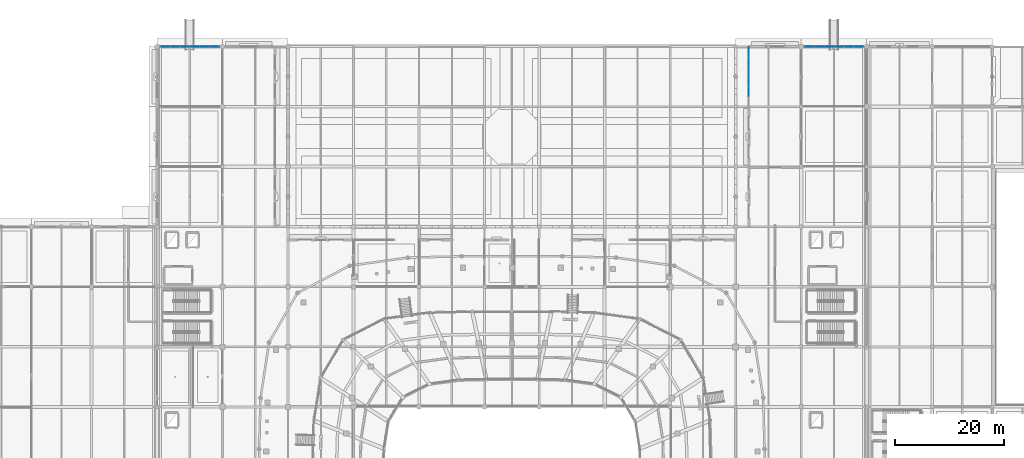
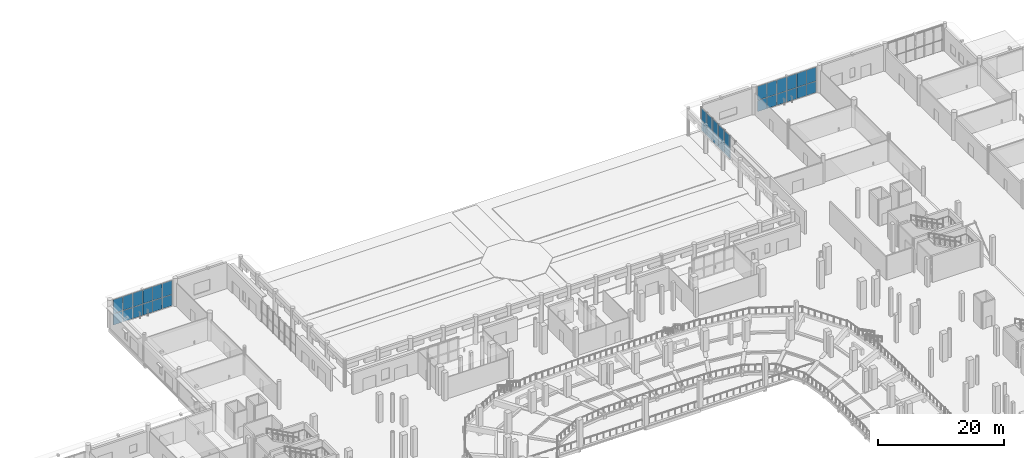
# One storey, part 49 of 120: 34 plates, 3 elements without a shape of their own.
"""IFC4 building model written with IfcOpenShell, lengths in metres."""

from ifc_helpers import new_model, si_unit, direction, frame, origin, origin_2d, place, context, subcontext, project, spatial, rectangle, extrude, material, layer, layer_set, type_object, element, aggregate, save


model = new_model("IFC4")

# Units and contexts
model_context = context("Model", 3, precision=1e-05, world=origin(), true_north=direction((0.0, 1.0)))
body_context = subcontext(model_context, "Body", "Model", "MODEL_VIEW")
ifc_project = project(units=[si_unit("LENGTHUNIT", "METRE"), si_unit("AREAUNIT", "SQUARE_METRE"), si_unit("VOLUMEUNIT", "CUBIC_METRE"), si_unit("PLANEANGLEUNIT", "RADIAN"), si_unit("MASSUNIT", "GRAM", prefix="KILO")], contexts=[model_context])

# Site, building, storey
site_placement = place(None, origin())
site = spatial("IfcSite", under=ifc_project, at=site_placement, CompositionType="ELEMENT")
building_placement = place(site_placement, origin())
building = spatial("IfcBuilding", under=site, at=building_placement, Name="Luwafu Chhajja Arena", CompositionType="ELEMENT")
storey_placement = place(building_placement, origin())
storey = spatial("IfcBuildingStorey", under=building, at=storey_placement, Name="L00", CompositionType="ELEMENT", Elevation=0.0)

# Curtain wall, plates
ifc_material_1 = material(Name="Anodised bronze aluminium", Category="aluminium")
curtain_wall_type_1 = type_object("IfcCurtainWallType", Name="VIP Club Terrace Curtain Wall", PredefinedType="USERDEFINED", material=ifc_material_1)
curtain_wall_1_placement = place(storey_placement, origin())
curtain_wall_1 = element("IfcCurtainWall", 1, at=curtain_wall_1_placement, inside=storey, type_object=curtain_wall_type_1, Name="L00 Curtain Wall CWG-L00-V12_11", ObjectType="CURTAIN WALL", PredefinedType="USERDEFINED")
ifc_material_2 = material(Name="Solar-control laminated glass", Category="glass")
ifc_layer_1 = layer(ifc_material_2, 0.035888671875, Name="Solar-control laminated glass")
ifc_layer_set_1 = layer_set([ifc_layer_1], Name="Solar-control laminated glass")
plate_type_1 = type_object("IfcPlateType", Name="Acoustic Broadcast Double Glazed CW Panel 36", PredefinedType="CURTAIN_PANEL", material=ifc_layer_set_1)
plate_1_placement = place(storey_placement, frame((142.39990234375, 123.75, 0.094970703125), z_axis=(0.0, 0.0, 1.0), x_axis=(0.0, 1.0, 0.0)))
plate_1 = element("IfcPlate", 2, at=plate_1_placement, type_object=plate_type_1, Name="CW-10 panel 2.1", PredefinedType="CURTAIN_PANEL", context=body_context, shape_type="SweptSolid", body=[
    extrude(rectangle(XDim=1.768310546875, YDim=0.035888671875, at=origin_2d()), origin(), (0.0, 0.0, 1.0), 1.919921875),
])
plate_2_placement = place(storey_placement, frame((142.39990234375, 123.75, 2.080078125), z_axis=(0.0, 0.0, 1.0), x_axis=(0.0, 1.0, 0.0)))
plate_2 = element("IfcPlate", 3, at=plate_2_placement, type_object=plate_type_1, Name="CW-10 panel 2.2", PredefinedType="CURTAIN_PANEL", context=body_context, shape_type="SweptSolid", body=[
    extrude(rectangle(XDim=1.768310546875, YDim=0.035888671875, at=origin_2d()), origin(), (0.0, 0.0, 1.0), 2.405029296875),
])
plate_3_placement = place(storey_placement, frame((142.39990234375, 125.583251953125, 0.094970703125), z_axis=(0.0, 0.0, 1.0), x_axis=(0.0, 1.0, 0.0)))
plate_3 = element("IfcPlate", 4, at=plate_3_placement, type_object=plate_type_1, Name="CW-10 panel 3.1", PredefinedType="CURTAIN_PANEL", context=body_context, shape_type="SweptSolid", body=[
    extrude(rectangle(XDim=1.768310546875, YDim=0.035888671875, at=origin_2d()), origin(), (0.0, 0.0, 1.0), 1.919921875),
])
plate_4_placement = place(storey_placement, frame((142.39990234375, 125.583251953125, 2.080078125), z_axis=(0.0, 0.0, 1.0), x_axis=(0.0, 1.0, 0.0)))
plate_4 = element("IfcPlate", 5, at=plate_4_placement, type_object=plate_type_1, Name="CW-10 panel 3.2", PredefinedType="CURTAIN_PANEL", context=body_context, shape_type="SweptSolid", body=[
    extrude(rectangle(XDim=1.768310546875, YDim=0.035888671875, at=origin_2d()), origin(), (0.0, 0.0, 1.0), 2.405029296875),
])
plate_5_placement = place(storey_placement, frame((142.39990234375, 127.416748046875, 0.094970703125), z_axis=(0.0, 0.0, 1.0), x_axis=(0.0, 1.0, 0.0)))
plate_5 = element("IfcPlate", 6, at=plate_5_placement, type_object=plate_type_1, Name="CW-10 panel 4.1", PredefinedType="CURTAIN_PANEL", context=body_context, shape_type="SweptSolid", body=[
    extrude(rectangle(XDim=1.768310546875, YDim=0.035888671875, at=origin_2d()), origin(), (0.0, 0.0, 1.0), 1.919921875),
])
plate_6_placement = place(storey_placement, frame((142.39990234375, 127.416748046875, 2.080078125), z_axis=(0.0, 0.0, 1.0), x_axis=(0.0, 1.0, 0.0)))
plate_6 = element("IfcPlate", 7, at=plate_6_placement, type_object=plate_type_1, Name="CW-10 panel 4.2", PredefinedType="CURTAIN_PANEL", context=body_context, shape_type="SweptSolid", body=[
    extrude(rectangle(XDim=1.768310546875, YDim=0.035888671875, at=origin_2d()), origin(), (0.0, 0.0, 1.0), 2.405029296875),
])
plate_7_placement = place(storey_placement, frame((142.39990234375, 129.25, 0.094970703125), z_axis=(0.0, 0.0, 1.0), x_axis=(0.0, 1.0, 0.0)))
plate_7 = element("IfcPlate", 8, at=plate_7_placement, type_object=plate_type_1, Name="CW-10 panel 5.1", PredefinedType="CURTAIN_PANEL", context=body_context, shape_type="SweptSolid", body=[
    extrude(rectangle(XDim=1.768310546875, YDim=0.035888671875, at=origin_2d()), origin(), (0.0, 0.0, 1.0), 1.919921875),
])
plate_8_placement = place(storey_placement, frame((142.39990234375, 129.25, 2.080078125), z_axis=(0.0, 0.0, 1.0), x_axis=(0.0, 1.0, 0.0)))
plate_8 = element("IfcPlate", 9, at=plate_8_placement, type_object=plate_type_1, Name="CW-10 panel 5.2", PredefinedType="CURTAIN_PANEL", context=body_context, shape_type="SweptSolid", body=[
    extrude(rectangle(XDim=1.768310546875, YDim=0.035888671875, at=origin_2d()), origin(), (0.0, 0.0, 1.0), 2.405029296875),
])
plate_9_placement = place(storey_placement, frame((142.39990234375, 131.067138671875, 0.094970703125), z_axis=(0.0, 0.0, 1.0), x_axis=(0.0, 1.0, 0.0)))
plate_9 = element("IfcPlate", 10, at=plate_9_placement, type_object=plate_type_1, Name="CW-10 panel 6.1", PredefinedType="CURTAIN_PANEL", context=body_context, shape_type="SweptSolid", body=[
    extrude(rectangle(XDim=1.73583984375, YDim=0.035888671875, at=origin_2d()), origin(), (0.0, 0.0, 1.0), 1.919921875),
])
plate_10_placement = place(storey_placement, frame((142.39990234375, 131.067138671875, 2.080078125), z_axis=(0.0, 0.0, 1.0), x_axis=(0.0, 1.0, 0.0)))
plate_10 = element("IfcPlate", 11, at=plate_10_placement, type_object=plate_type_1, Name="CW-10 panel 6.2", PredefinedType="CURTAIN_PANEL", context=body_context, shape_type="SweptSolid", body=[
    extrude(rectangle(XDim=1.73583984375, YDim=0.035888671875, at=origin_2d()), origin(), (0.0, 0.0, 1.0), 2.405029296875),
])
aggregate(curtain_wall_1, [plate_1, plate_2, plate_3, plate_4, plate_5, plate_6, plate_7, plate_8, plate_9, plate_10])

curtain_wall_type_2 = type_object("IfcCurtainWallType", Name="Foyer Luwafu Street Curtain Wall", PredefinedType="USERDEFINED", material=ifc_material_1)
curtain_wall_2_placement = place(storey_placement, origin())
curtain_wall_2 = element("IfcCurtainWall", 12, at=curtain_wall_2_placement, inside=storey, type_object=curtain_wall_type_2, Name="L00 Curtain Wall CWG-L00-H03_12", ObjectType="CURTAIN WALL", PredefinedType="USERDEFINED")
ifc_layer_2 = layer(ifc_material_2, 0.028076171875, Name="Solar-control laminated glass")
ifc_layer_set_2 = layer_set([ifc_layer_2], Name="Solar-control laminated glass")
plate_type_2 = type_object("IfcPlateType", Name="Solar Control Double Glazed CW Panel 28", PredefinedType="CURTAIN_PANEL", material=ifc_layer_set_2)
plate_11_placement = place(storey_placement, frame((35.511962890625, 132.0, 0.094970703125), z_axis=(0.0, 0.0, 1.0), x_axis=(1.0, 0.0, 0.0)))
plate_11 = element("IfcPlate", 13, at=plate_11_placement, type_object=plate_type_2, Name="CW-05 panel 1.1", PredefinedType="CURTAIN_PANEL", context=body_context, shape_type="SweptSolid", body=[
    extrude(rectangle(XDim=1.714111328125, YDim=0.028076171875, at=origin_2d()), origin(), (0.0, 0.0, 1.0), 2.15185546875),
])
plate_12_placement = place(storey_placement, frame((35.511962890625, 132.0, 2.31201171875), z_axis=(0.0, 0.0, 1.0), x_axis=(1.0, 0.0, 0.0)))
plate_12 = element("IfcPlate", 14, at=plate_12_placement, type_object=plate_type_2, Name="CW-05 panel 1.2", PredefinedType="CURTAIN_PANEL", context=body_context, shape_type="SweptSolid", body=[
    extrude(rectangle(XDim=1.714111328125, YDim=0.028076171875, at=origin_2d()), origin(), (0.0, 0.0, 1.0), 2.688232421875),
])
plate_13_placement = place(storey_placement, frame((37.3076171875, 132.0, 0.094970703125), z_axis=(0.0, 0.0, 1.0), x_axis=(1.0, 0.0, 0.0)))
plate_13 = element("IfcPlate", 15, at=plate_13_placement, type_object=plate_type_2, Name="CW-05 panel 2.1", PredefinedType="CURTAIN_PANEL", context=body_context, shape_type="SweptSolid", body=[
    extrude(rectangle(XDim=1.74658203125, YDim=0.028076171875, at=origin_2d()), origin(), (0.0, 0.0, 1.0), 2.15185546875),
])
plate_14_placement = place(storey_placement, frame((37.3076171875, 132.0, 2.31201171875), z_axis=(0.0, 0.0, 1.0), x_axis=(1.0, 0.0, 0.0)))
plate_14 = element("IfcPlate", 16, at=plate_14_placement, type_object=plate_type_2, Name="CW-05 panel 2.2", PredefinedType="CURTAIN_PANEL", context=body_context, shape_type="SweptSolid", body=[
    extrude(rectangle(XDim=1.74658203125, YDim=0.028076171875, at=origin_2d()), origin(), (0.0, 0.0, 1.0), 2.688232421875),
])
plate_15_placement = place(storey_placement, frame((39.119140625, 132.0, 0.094970703125), z_axis=(0.0, 0.0, 1.0), x_axis=(1.0, 0.0, 0.0)))
plate_15 = element("IfcPlate", 17, at=plate_15_placement, type_object=plate_type_2, Name="CW-05 panel 3.1", PredefinedType="CURTAIN_PANEL", context=body_context, shape_type="SweptSolid", body=[
    extrude(rectangle(XDim=1.74658203125, YDim=0.028076171875, at=origin_2d()), origin(), (0.0, 0.0, 1.0), 2.15185546875),
])
plate_16_placement = place(storey_placement, frame((39.119140625, 132.0, 2.31201171875), z_axis=(0.0, 0.0, 1.0), x_axis=(1.0, 0.0, 0.0)))
plate_16 = element("IfcPlate", 18, at=plate_16_placement, type_object=plate_type_2, Name="CW-05 panel 3.2", PredefinedType="CURTAIN_PANEL", context=body_context, shape_type="SweptSolid", body=[
    extrude(rectangle(XDim=1.74658203125, YDim=0.028076171875, at=origin_2d()), origin(), (0.0, 0.0, 1.0), 2.688232421875),
])
plate_17_placement = place(storey_placement, frame((40.930908203125, 132.0, 0.094970703125), z_axis=(0.0, 0.0, 1.0), x_axis=(1.0, 0.0, 0.0)))
plate_17 = element("IfcPlate", 19, at=plate_17_placement, type_object=plate_type_2, Name="CW-05 panel 4.1", PredefinedType="CURTAIN_PANEL", context=body_context, shape_type="SweptSolid", body=[
    extrude(rectangle(XDim=1.74658203125, YDim=0.028076171875, at=origin_2d()), origin(), (0.0, 0.0, 1.0), 2.15185546875),
])
plate_18_placement = place(storey_placement, frame((40.930908203125, 132.0, 2.31201171875), z_axis=(0.0, 0.0, 1.0), x_axis=(1.0, 0.0, 0.0)))
plate_18 = element("IfcPlate", 20, at=plate_18_placement, type_object=plate_type_2, Name="CW-05 panel 4.2", PredefinedType="CURTAIN_PANEL", context=body_context, shape_type="SweptSolid", body=[
    extrude(rectangle(XDim=1.74658203125, YDim=0.028076171875, at=origin_2d()), origin(), (0.0, 0.0, 1.0), 2.688232421875),
])
plate_19_placement = place(storey_placement, frame((42.742431640625, 132.0, 0.094970703125), z_axis=(0.0, 0.0, 1.0), x_axis=(1.0, 0.0, 0.0)))
plate_19 = element("IfcPlate", 21, at=plate_19_placement, type_object=plate_type_2, Name="CW-05 panel 5.1", PredefinedType="CURTAIN_PANEL", context=body_context, shape_type="SweptSolid", body=[
    extrude(rectangle(XDim=1.74658203125, YDim=0.028076171875, at=origin_2d()), origin(), (0.0, 0.0, 1.0), 2.15185546875),
])
plate_20_placement = place(storey_placement, frame((42.742431640625, 132.0, 2.31201171875), z_axis=(0.0, 0.0, 1.0), x_axis=(1.0, 0.0, 0.0)))
plate_20 = element("IfcPlate", 22, at=plate_20_placement, type_object=plate_type_2, Name="CW-05 panel 5.2", PredefinedType="CURTAIN_PANEL", context=body_context, shape_type="SweptSolid", body=[
    extrude(rectangle(XDim=1.74658203125, YDim=0.028076171875, at=origin_2d()), origin(), (0.0, 0.0, 1.0), 2.688232421875),
])
plate_21_placement = place(storey_placement, frame((44.537841796875, 132.0, 0.094970703125), z_axis=(0.0, 0.0, 1.0), x_axis=(1.0, 0.0, 0.0)))
plate_21 = element("IfcPlate", 23, at=plate_21_placement, type_object=plate_type_2, Name="CW-05 panel 6.1", PredefinedType="CURTAIN_PANEL", context=body_context, shape_type="SweptSolid", body=[
    extrude(rectangle(XDim=1.714111328125, YDim=0.028076171875, at=origin_2d()), origin(), (0.0, 0.0, 1.0), 2.15185546875),
])
plate_22_placement = place(storey_placement, frame((44.537841796875, 132.0, 2.31201171875), z_axis=(0.0, 0.0, 1.0), x_axis=(1.0, 0.0, 0.0)))
plate_22 = element("IfcPlate", 24, at=plate_22_placement, type_object=plate_type_2, Name="CW-05 panel 6.2", PredefinedType="CURTAIN_PANEL", context=body_context, shape_type="SweptSolid", body=[
    extrude(rectangle(XDim=1.714111328125, YDim=0.028076171875, at=origin_2d()), origin(), (0.0, 0.0, 1.0), 2.688232421875),
])
aggregate(curtain_wall_2, [plate_11, plate_12, plate_13, plate_14, plate_15, plate_16, plate_17, plate_18, plate_19, plate_20, plate_21, plate_22])

curtain_wall_3_placement = place(storey_placement, origin())
curtain_wall_3 = element("IfcCurtainWall", 25, at=curtain_wall_3_placement, inside=storey, type_object=curtain_wall_type_2, Name="L00 Curtain Wall CWG-L00-H13_12", ObjectType="CURTAIN WALL", PredefinedType="USERDEFINED")
plate_23_placement = place(storey_placement, frame((153.511962890625, 132.0, 0.094970703125), z_axis=(0.0, 0.0, 1.0), x_axis=(1.0, 0.0, 0.0)))
plate_23 = element("IfcPlate", 26, at=plate_23_placement, type_object=plate_type_2, Name="CW-05 panel 1.1", PredefinedType="CURTAIN_PANEL", context=body_context, shape_type="SweptSolid", body=[
    extrude(rectangle(XDim=1.714111328125, YDim=0.028076171875, at=origin_2d()), origin(), (0.0, 0.0, 1.0), 2.15185546875),
])
plate_24_placement = place(storey_placement, frame((153.511962890625, 132.0, 2.31201171875), z_axis=(0.0, 0.0, 1.0), x_axis=(1.0, 0.0, 0.0)))
plate_24 = element("IfcPlate", 27, at=plate_24_placement, type_object=plate_type_2, Name="CW-05 panel 1.2", PredefinedType="CURTAIN_PANEL", context=body_context, shape_type="SweptSolid", body=[
    extrude(rectangle(XDim=1.714111328125, YDim=0.028076171875, at=origin_2d()), origin(), (0.0, 0.0, 1.0), 2.688232421875),
])
plate_25_placement = place(storey_placement, frame((155.3076171875, 132.0, 0.094970703125), z_axis=(0.0, 0.0, 1.0), x_axis=(1.0, 0.0, 0.0)))
plate_25 = element("IfcPlate", 28, at=plate_25_placement, type_object=plate_type_2, Name="CW-05 panel 2.1", PredefinedType="CURTAIN_PANEL", context=body_context, shape_type="SweptSolid", body=[
    extrude(rectangle(XDim=1.74658203125, YDim=0.028076171875, at=origin_2d()), origin(), (0.0, 0.0, 1.0), 2.15185546875),
])
plate_26_placement = place(storey_placement, frame((155.3076171875, 132.0, 2.31201171875), z_axis=(0.0, 0.0, 1.0), x_axis=(1.0, 0.0, 0.0)))
plate_26 = element("IfcPlate", 29, at=plate_26_placement, type_object=plate_type_2, Name="CW-05 panel 2.2", PredefinedType="CURTAIN_PANEL", context=body_context, shape_type="SweptSolid", body=[
    extrude(rectangle(XDim=1.74658203125, YDim=0.028076171875, at=origin_2d()), origin(), (0.0, 0.0, 1.0), 2.688232421875),
])
plate_27_placement = place(storey_placement, frame((157.119140625, 132.0, 0.094970703125), z_axis=(0.0, 0.0, 1.0), x_axis=(1.0, 0.0, 0.0)))
plate_27 = element("IfcPlate", 30, at=plate_27_placement, type_object=plate_type_2, Name="CW-05 panel 3.1", PredefinedType="CURTAIN_PANEL", context=body_context, shape_type="SweptSolid", body=[
    extrude(rectangle(XDim=1.74658203125, YDim=0.028076171875, at=origin_2d()), origin(), (0.0, 0.0, 1.0), 2.15185546875),
])
plate_28_placement = place(storey_placement, frame((157.119140625, 132.0, 2.31201171875), z_axis=(0.0, 0.0, 1.0), x_axis=(1.0, 0.0, 0.0)))
plate_28 = element("IfcPlate", 31, at=plate_28_placement, type_object=plate_type_2, Name="CW-05 panel 3.2", PredefinedType="CURTAIN_PANEL", context=body_context, shape_type="SweptSolid", body=[
    extrude(rectangle(XDim=1.74658203125, YDim=0.028076171875, at=origin_2d()), origin(), (0.0, 0.0, 1.0), 2.688232421875),
])
plate_29_placement = place(storey_placement, frame((158.930908203125, 132.0, 0.094970703125), z_axis=(0.0, 0.0, 1.0), x_axis=(1.0, 0.0, 0.0)))
plate_29 = element("IfcPlate", 32, at=plate_29_placement, type_object=plate_type_2, Name="CW-05 panel 4.1", PredefinedType="CURTAIN_PANEL", context=body_context, shape_type="SweptSolid", body=[
    extrude(rectangle(XDim=1.74658203125, YDim=0.028076171875, at=origin_2d()), origin(), (0.0, 0.0, 1.0), 2.15185546875),
])
plate_30_placement = place(storey_placement, frame((158.930908203125, 132.0, 2.31201171875), z_axis=(0.0, 0.0, 1.0), x_axis=(1.0, 0.0, 0.0)))
plate_30 = element("IfcPlate", 33, at=plate_30_placement, type_object=plate_type_2, Name="CW-05 panel 4.2", PredefinedType="CURTAIN_PANEL", context=body_context, shape_type="SweptSolid", body=[
    extrude(rectangle(XDim=1.74658203125, YDim=0.028076171875, at=origin_2d()), origin(), (0.0, 0.0, 1.0), 2.688232421875),
])
plate_31_placement = place(storey_placement, frame((160.742431640625, 132.0, 0.094970703125), z_axis=(0.0, 0.0, 1.0), x_axis=(1.0, 0.0, 0.0)))
plate_31 = element("IfcPlate", 34, at=plate_31_placement, type_object=plate_type_2, Name="CW-05 panel 5.1", PredefinedType="CURTAIN_PANEL", context=body_context, shape_type="SweptSolid", body=[
    extrude(rectangle(XDim=1.74658203125, YDim=0.028076171875, at=origin_2d()), origin(), (0.0, 0.0, 1.0), 2.15185546875),
])
plate_32_placement = place(storey_placement, frame((160.742431640625, 132.0, 2.31201171875), z_axis=(0.0, 0.0, 1.0), x_axis=(1.0, 0.0, 0.0)))
plate_32 = element("IfcPlate", 35, at=plate_32_placement, type_object=plate_type_2, Name="CW-05 panel 5.2", PredefinedType="CURTAIN_PANEL", context=body_context, shape_type="SweptSolid", body=[
    extrude(rectangle(XDim=1.74658203125, YDim=0.028076171875, at=origin_2d()), origin(), (0.0, 0.0, 1.0), 2.688232421875),
])
plate_33_placement = place(storey_placement, frame((162.537841796875, 132.0, 0.094970703125), z_axis=(0.0, 0.0, 1.0), x_axis=(1.0, 0.0, 0.0)))
plate_33 = element("IfcPlate", 36, at=plate_33_placement, type_object=plate_type_2, Name="CW-05 panel 6.1", PredefinedType="CURTAIN_PANEL", context=body_context, shape_type="SweptSolid", body=[
    extrude(rectangle(XDim=1.714111328125, YDim=0.028076171875, at=origin_2d()), origin(), (0.0, 0.0, 1.0), 2.15185546875),
])
plate_34_placement = place(storey_placement, frame((162.537841796875, 132.0, 2.31201171875), z_axis=(0.0, 0.0, 1.0), x_axis=(1.0, 0.0, 0.0)))
plate_34 = element("IfcPlate", 37, at=plate_34_placement, type_object=plate_type_2, Name="CW-05 panel 6.2", PredefinedType="CURTAIN_PANEL", context=body_context, shape_type="SweptSolid", body=[
    extrude(rectangle(XDim=1.714111328125, YDim=0.028076171875, at=origin_2d()), origin(), (0.0, 0.0, 1.0), 2.688232421875),
])
aggregate(curtain_wall_3, [plate_23, plate_24, plate_25, plate_26, plate_27, plate_28, plate_29, plate_30, plate_31, plate_32, plate_33, plate_34])

save(model, "model.ifc")
